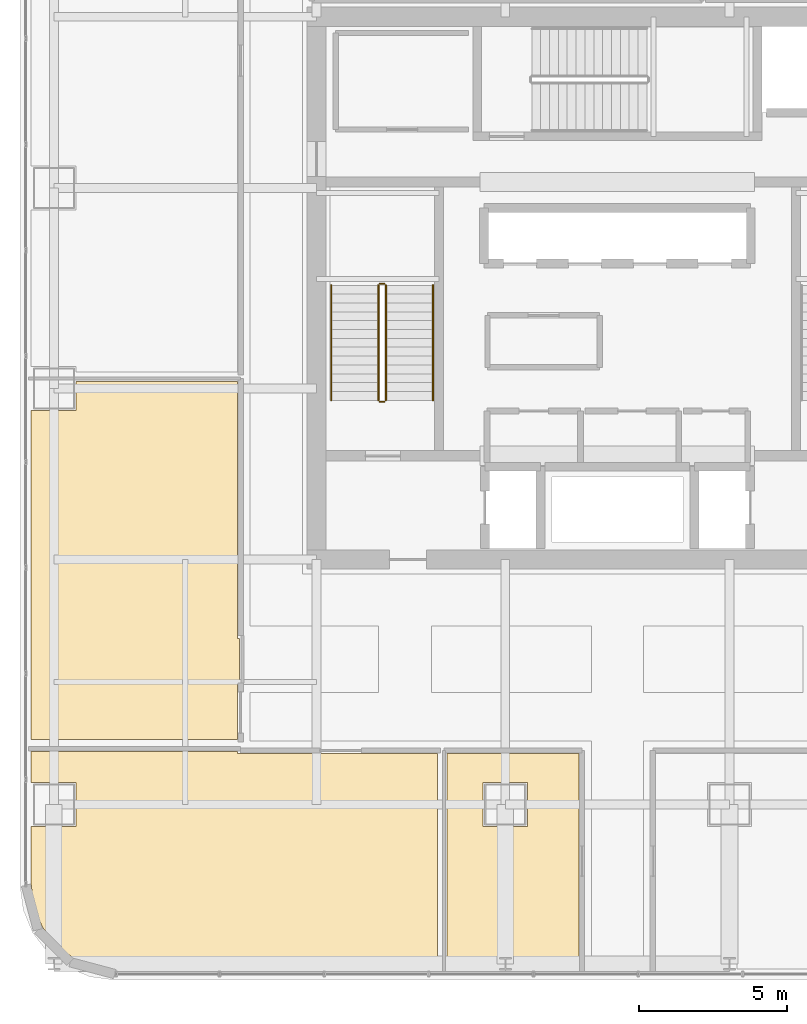
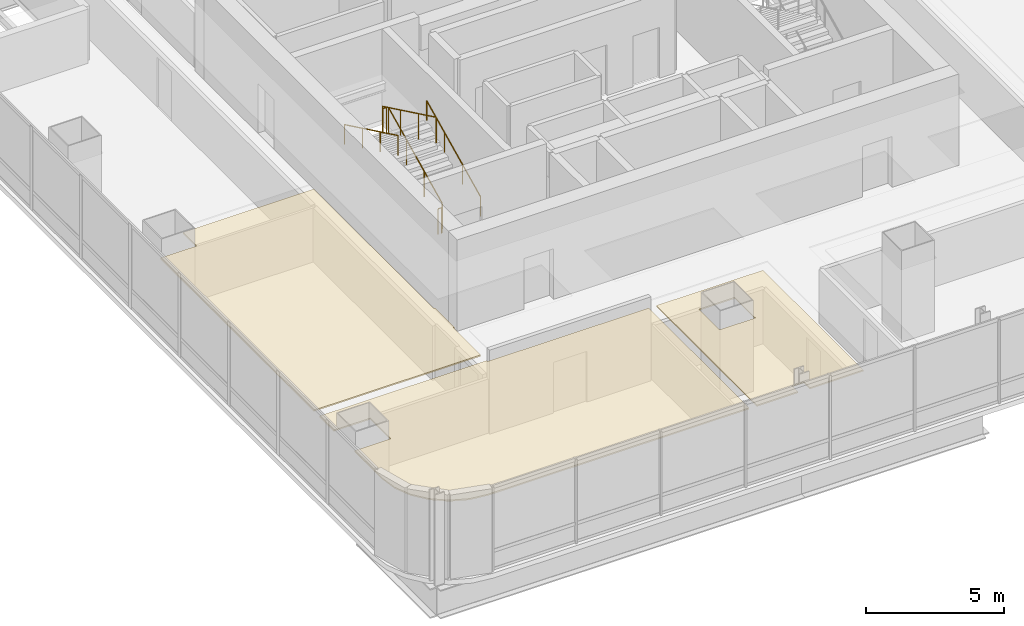
# One storey, part 32 of 35: 6 railings, 3 coverings.
"""IFC4 building model written with IfcOpenShell, lengths in metres."""

from ifc_helpers import new_model, si_unit, direction, frame, origin, origin_2d, place, context, subcontext, project, spatial, polyline, circle, outline, extrude, material, layer, layer_set, type_object, element, save


model = new_model("IFC4")

# Units and contexts
model_context = context("Model", 3, precision=1e-05, world=origin(), true_north=direction((0.0, 1.0)))
body_context = subcontext(model_context, "Body", "Model", "MODEL_VIEW")
ifc_project = project(units=[si_unit("LENGTHUNIT", "METRE"), si_unit("AREAUNIT", "SQUARE_METRE"), si_unit("VOLUMEUNIT", "CUBIC_METRE"), si_unit("PLANEANGLEUNIT", "RADIAN"), si_unit("MASSUNIT", "GRAM", prefix="KILO")], contexts=[model_context])

# Site, building, storey
site_placement = place(None, origin())
site = spatial("IfcSite", under=ifc_project, at=site_placement, CompositionType="ELEMENT")
building_placement = place(site_placement, origin())
building = spatial("IfcBuilding", under=site, at=building_placement, Name="Punatoya Terracotta Tower", CompositionType="ELEMENT")
storey_placement = place(building_placement, frame((0.0, 0.0, 232.949951171875)))
storey = spatial("IfcBuildingStorey", under=building, at=storey_placement, Name="L55", CompositionType="ELEMENT", Elevation=232.949951171875)

# Coverings
ifc_material_1 = material(Name="Acoustic Mineral Fibre Ceiling")
ifc_layer = layer(ifc_material_1, 0.06005859375)
ifc_layer_set = layer_set([ifc_layer], Name="Acoustic Mineral Fibre Ceiling")
covering_type = type_object("IfcCoveringType", Name="COV-CEIL-60", PredefinedType="CEILING", material=ifc_layer_set)
covering_1_placement = place(storey_placement, frame((0.0, 0.0, 3.2099609375)))
element("IfcCovering", 1, at=covering_1_placement, inside=storey, type_object=covering_type, Name="L55 Open-Plan Plenary Seminar Room Acoustic Ceiling", PredefinedType="CEILING", context=body_context, shape_type="SweptSolid", body=[
    extrude(outline(polyline([(-5.77392578125, -23.070068359375), (-4.054443359375, -23.070068359375), (-4.054443359375, -22.637451171875), (-3.54541015625, -22.637451171875), (-3.54541015625, -23.070068359375), (-1.300048828125, -23.070068359375), (-1.300048828125, -15.77001953125), (-5.77392578125, -15.77001953125), (-5.77392578125, -23.070068359375)]), holes=[polyline([(-3.050048828125, -18.25), (-4.550048828125, -18.25), (-4.550048828125, -16.75), (-3.050048828125, -16.75), (-3.050048828125, -18.25)])]), origin(), (0.0, 0.0, 1.0), 0.06005859375),
])
covering_2_placement = place(storey_placement, frame((0.0, 0.0, 3.2099609375)))
element("IfcCovering", 2, at=covering_2_placement, inside=storey, type_object=covering_type, Name="L55 Open-Plan Client Strategy Boardroom Acoustic Ceiling", PredefinedType="CEILING", context=body_context, shape_type="SweptSolid", body=[
    extrude(outline(polyline([(-19.8701171875, -18.25), (-19.8701171875, -20.22509765625), (-19.770751953125, -20.97900390625), (-19.489501953125, -21.658203125), (-19.041748046875, -22.24169921875), (-18.458251953125, -22.689453125), (-17.779052734375, -22.970703125), (-17.025146484375, -23.070068359375), (-6.093994140625, -23.070068359375), (-6.093994140625, -15.77001953125), (-12.8701171875, -15.77001953125), (-12.8701171875, -15.7099609375), (-19.8701171875, -15.7099609375), (-19.8701171875, -16.75), (-18.35009765625, -16.75), (-18.35009765625, -18.25), (-19.8701171875, -18.25)])), origin(), (0.0, 0.0, 1.0), 0.06005859375),
])
covering_3_placement = place(storey_placement, frame((0.0, 0.0, 3.2099609375)))
element("IfcCovering", 3, at=covering_3_placement, inside=storey, type_object=covering_type, Name="L55 Open-Plan Executive Briefing Room Acoustic Ceiling", PredefinedType="CEILING", context=body_context, shape_type="SweptSolid", body=[
    extrude(outline(polyline([(-19.8701171875, -4.14990234375), (-19.8701171875, -15.2900390625), (-12.8701171875, -15.2900390625), (-12.8701171875, -13.280029296875), (-12.81005859375, -13.280029296875), (-12.81005859375, -11.8701171875), (-12.8701171875, -11.8701171875), (-12.8701171875, -3.154052734375), (-18.35009765625, -3.154052734375), (-18.35009765625, -4.14990234375), (-19.8701171875, -4.14990234375)])), origin(), (0.0, 0.0, 1.0), 0.06005859375),
])

# Railings
ifc_material_2 = material(Name="Steel S355", Category="steel")
railing_type_1 = type_object("IfcRailingType", Name="RLG-GRD-1150", PredefinedType="GUARDRAIL", material=ifc_material_2)
railing_1_placement = place(storey_placement, frame((-7.85009765625, -3.800048828125, 0.144775390625)))
element("IfcRailing", 4, at=railing_1_placement, inside=storey, type_object=railing_type_1, Name="L55 ST-1 stair guard 1", PredefinedType="GUARDRAIL", context=body_context, shape_type="SweptSolid", body=[
    extrude(circle(Radius=0.02392578125, at=origin_2d()), frame((0.0, 0.0, 1.1259765625), z_axis=(0.0, 0.900773802044, 0.434288564841), x_axis=(-1.0, 0.0, 0.0)), (0.0, 0.0, 1.0), 4.329833984375),
    extrude(circle(Radius=0.02099609375, at=origin_2d()), origin(), (0.0, 0.0, 1.0), 1.101806640625),
    extrude(circle(Radius=0.02099609375, at=origin_2d()), frame((0.0, 1.300048828125, 0.626708984375)), (0.0, 0.0, 1.0), 1.101806640625),
    extrude(circle(Radius=0.02099609375, at=origin_2d()), frame((0.0, 2.60009765625, 1.253662109375)), (0.0, 0.0, 1.0), 1.101806640625),
    extrude(circle(Radius=0.02099609375, at=origin_2d()), frame((0.0, 3.900146484375, 1.88037109375)), (0.0, 0.0, 1.0), 1.101806640625),
])
railing_2_placement = place(storey_placement, frame((-7.89990234375, 0.14990234375, 2.025146484375)))
element("IfcRailing", 5, at=railing_2_placement, inside=storey, type_object=railing_type_1, Name="L55 ST-1 stair guard 2", PredefinedType="GUARDRAIL", context=body_context, shape_type="SweptSolid", body=[
    extrude(circle(Radius=0.02392578125, at=origin_2d()), frame((0.0, 0.0, 1.1259765625), z_axis=(-1.0, 0.0, 0.0), x_axis=(0.0, -1.0, 0.0)), (0.0, 0.0, 1.0), 0.150146484375),
    extrude(circle(Radius=0.02099609375, at=origin_2d()), origin(), (0.0, 0.0, 1.0), 1.101806640625),
    extrude(circle(Radius=0.02099609375, at=origin_2d()), frame((-0.150146484375, 0.0, 0.0)), (0.0, 0.0, 1.0), 1.101806640625),
])
railing_3_placement = place(storey_placement, frame((-8.10009765625, 0.10009765625, 2.169677734375)))
element("IfcRailing", 6, at=railing_3_placement, inside=storey, type_object=railing_type_1, Name="L55 ST-1 stair guard 3", PredefinedType="GUARDRAIL", context=body_context, shape_type="SweptSolid", body=[
    extrude(circle(Radius=0.02392578125, at=origin_2d()), frame((0.0, 0.0, 1.1259765625), z_axis=(0.0, -0.900773802044, 0.434288564841), x_axis=(1.0, 0.0, 0.0)), (0.0, 0.0, 1.0), 4.329833984375),
    extrude(circle(Radius=0.02099609375, at=origin_2d()), origin(), (0.0, 0.0, 1.0), 1.101806640625),
    extrude(circle(Radius=0.02099609375, at=origin_2d()), frame((0.0, -1.300048828125, 0.626708984375)), (0.0, 0.0, 1.0), 1.101806640625),
    extrude(circle(Radius=0.02099609375, at=origin_2d()), frame((0.0, -2.60009765625, 1.253662109375)), (0.0, 0.0, 1.0), 1.101806640625),
    extrude(circle(Radius=0.02099609375, at=origin_2d()), frame((0.0, -3.900146484375, 1.88037109375)), (0.0, 0.0, 1.0), 1.101806640625),
])
railing_4_placement = place(storey_placement, frame((-7.89990234375, -3.85009765625, 0.0)))
element("IfcRailing", 7, at=railing_4_placement, inside=storey, type_object=railing_type_1, Name="L55 ST-1 stair guard 4", PredefinedType="GUARDRAIL", context=body_context, shape_type="SweptSolid", body=[
    extrude(circle(Radius=0.02392578125, at=origin_2d()), frame((0.0, 0.0, 1.1259765625), z_axis=(-1.0, 0.0, 0.0), x_axis=(0.0, -1.0, 0.0)), (0.0, 0.0, 1.0), 0.150146484375),
    extrude(circle(Radius=0.02099609375, at=origin_2d()), origin(), (0.0, 0.0, 1.0), 1.101806640625),
    extrude(circle(Radius=0.02099609375, at=origin_2d()), frame((-0.150146484375, 0.0, 0.0)), (0.0, 0.0, 1.0), 1.101806640625),
])
railing_type_2 = type_object("IfcRailingType", Name="RLG-HND-900", PredefinedType="HANDRAIL", material=ifc_material_2)
railing_5_placement = place(storey_placement, frame((-6.25, -3.800048828125, 0.144775390625)))
element("IfcRailing", 8, at=railing_5_placement, inside=storey, type_object=railing_type_2, Name="L55 ST-1 stair handrail 1", PredefinedType="HANDRAIL", context=body_context, shape_type="SweptSolid", body=[
    extrude(circle(Radius=0.02392578125, at=origin_2d()), frame((0.0, 0.0, 0.8759765625), z_axis=(0.0, 0.900773802044, 0.434288564841), x_axis=(-1.0, 0.0, 0.0)), (0.0, 0.0, 1.0), 4.329833984375),
    extrude(circle(Radius=0.02099609375, at=origin_2d()), origin(), (0.0, 0.0, 1.0), 0.851806640625),
    extrude(circle(Radius=0.02099609375, at=origin_2d()), frame((0.0, 1.300048828125, 0.626708984375)), (0.0, 0.0, 1.0), 0.851806640625),
    extrude(circle(Radius=0.02099609375, at=origin_2d()), frame((0.0, 2.60009765625, 1.253662109375)), (0.0, 0.0, 1.0), 0.851806640625),
    extrude(circle(Radius=0.02099609375, at=origin_2d()), frame((0.0, 3.900146484375, 1.88037109375)), (0.0, 0.0, 1.0), 0.851806640625),
])
railing_6_placement = place(storey_placement, frame((-9.699951171875, 0.10009765625, 2.169677734375)))
element("IfcRailing", 9, at=railing_6_placement, inside=storey, type_object=railing_type_2, Name="L55 ST-1 stair handrail 2", PredefinedType="HANDRAIL", context=body_context, shape_type="SweptSolid", body=[
    extrude(circle(Radius=0.02392578125, at=origin_2d()), frame((0.0, 0.0, 0.8759765625), z_axis=(0.0, -0.900773802044, 0.434288564841), x_axis=(1.0, 0.0, 0.0)), (0.0, 0.0, 1.0), 4.329833984375),
    extrude(circle(Radius=0.02099609375, at=origin_2d()), origin(), (0.0, 0.0, 1.0), 0.851806640625),
    extrude(circle(Radius=0.02099609375, at=origin_2d()), frame((0.0, -1.300048828125, 0.626708984375)), (0.0, 0.0, 1.0), 0.851806640625),
    extrude(circle(Radius=0.02099609375, at=origin_2d()), frame((0.0, -2.60009765625, 1.253662109375)), (0.0, 0.0, 1.0), 0.851806640625),
    extrude(circle(Radius=0.02099609375, at=origin_2d()), frame((0.0, -3.900146484375, 1.88037109375)), (0.0, 0.0, 1.0), 0.851806640625),
])

save(model, "model.ifc")
